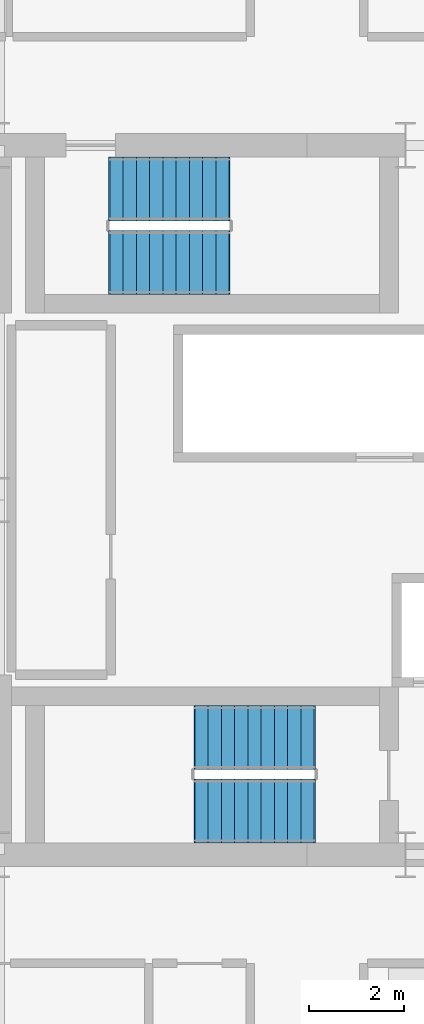
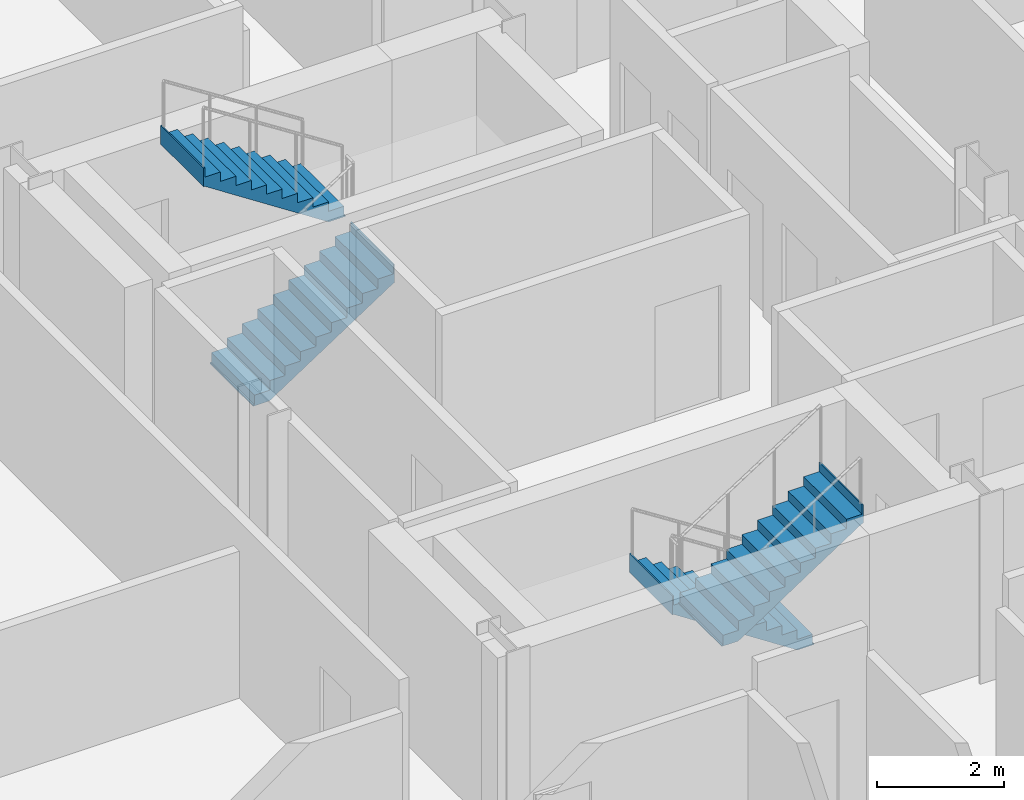
# One storey, part 21 of 23: 4 stair flights, 2 elements without a shape of their own.
"""IFC4 building model written with IfcOpenShell, lengths in metres."""

from ifc_helpers import new_model, si_unit, direction, frame, origin, place, context, subcontext, project, spatial, polyline, outline, extrude, material, type_object, element, aggregate, save


model = new_model("IFC4")

# Units and contexts
model_context = context("Model", 3, precision=1e-05, world=origin(), true_north=direction((0.0, 1.0)))
body_context = subcontext(model_context, "Body", "Model", "MODEL_VIEW")
ifc_project = project(units=[si_unit("LENGTHUNIT", "METRE"), si_unit("AREAUNIT", "SQUARE_METRE"), si_unit("VOLUMEUNIT", "CUBIC_METRE"), si_unit("PLANEANGLEUNIT", "RADIAN"), si_unit("MASSUNIT", "GRAM", prefix="KILO")], contexts=[model_context])

# Site, building, storey
site_placement = place(None, origin())
site = spatial("IfcSite", under=ifc_project, at=site_placement, CompositionType="ELEMENT")
building_placement = place(site_placement, origin())
building = spatial("IfcBuilding", under=site, at=building_placement, Name="Barlavira Tower and Art Museum", CompositionType="ELEMENT")
storey_placement = place(building_placement, frame((0.0, 0.0, 151.199951171875)))
storey = spatial("IfcBuildingStorey", under=building, at=storey_placement, Name="L38", CompositionType="ELEMENT", Elevation=151.199951171875)

# Stair, stair flights
ifc_material_1 = material(Name="Concrete C45", Category="concrete")
stair_type_1 = type_object("IfcStairType", Name="Tower North Dog-Leg Exit Stair Assembly Concrete C45", PredefinedType="TWO_QUARTER_TURN_STAIR", material=ifc_material_1)
stair_1_placement = place(storey_placement, origin())
stair_1 = element("IfcStair", 1, at=stair_1_placement, inside=storey, type_object=stair_type_1, Name="L38 Tower North Exit Stair ST-T2", PredefinedType="TWO_QUARTER_TURN_STAIR")
ifc_material_2 = material(Name="Precast concrete C45", Category="concrete")
stair_flight_type_1 = type_object("IfcStairFlightType", Name="Tower North Dog-Leg Exit Stair Precast Flight 1350 Concrete C45", PredefinedType="STRAIGHT", material=ifc_material_2)
stair_flight_1_placement = place(storey_placement, frame((-4.169921875, 5.02490234375, 0.0), z_axis=(0.0, 0.0, 1.0), x_axis=(1.0, 0.0, 0.0)))
stair_flight_1 = element("IfcStairFlight", 2, at=stair_flight_1_placement, type_object=stair_flight_type_1, Name="ST-T2 flight 1", NumberOfRisers=10, NumberOfTreads=9, PredefinedType="STRAIGHT", RiserHeight=0.18, TreadLength=0.28, context=body_context, shape_type="SweptSolid", body=[
    extrude(outline(polyline([(-0.02490234375, 0.0), (0.0, 0.0), (0.0, 0.179931640625), (0.280029296875, 0.179931640625), (0.280029296875, 0.360107421875), (0.56005859375, 0.360107421875), (0.56005859375, 0.5400390625), (0.840087890625, 0.5400390625), (0.840087890625, 0.719970703125), (1.1201171875, 0.719970703125), (1.1201171875, 0.89990234375), (1.39990234375, 0.89990234375), (1.39990234375, 1.080078125), (1.679931640625, 1.080078125), (1.679931640625, 1.260009765625), (1.9599609375, 1.260009765625), (1.9599609375, 1.43994140625), (2.239990234375, 1.43994140625), (2.239990234375, 1.6201171875), (2.52001953125, 1.6201171875), (2.52001953125, 1.800048828125), (2.544921875, 1.800048828125), (2.544921875, 1.44189453125), (2.52001953125, 1.44189453125), (0.277099609375, -0.02490234375), (-0.02490234375, -0.02490234375), (-0.02490234375, 0.0)])), frame((0.0, 0.675048828125, 0.0), z_axis=(0.0, -1.0, 0.0), x_axis=(1.0, 0.0, 0.0)), (0.0, 0.0, 1.0), 1.35009765625),
])
stair_flight_2_placement = place(storey_placement, frame((-1.64990234375, 6.574951171875, 1.800048828125), z_axis=(0.0, 0.0, 1.0), x_axis=(-1.0, 0.0, 0.0)))
stair_flight_2 = element("IfcStairFlight", 3, at=stair_flight_2_placement, type_object=stair_flight_type_1, Name="ST-T2 flight 2", NumberOfRisers=10, NumberOfTreads=9, PredefinedType="STRAIGHT", RiserHeight=0.18, TreadLength=0.28, context=body_context, shape_type="SweptSolid", body=[
    extrude(outline(polyline([(-0.02490234375, 0.0), (0.0, 0.0), (0.0, 0.179931640625), (0.280029296875, 0.179931640625), (0.280029296875, 0.360107421875), (0.56005859375, 0.360107421875), (0.56005859375, 0.5400390625), (0.840087890625, 0.5400390625), (0.840087890625, 0.719970703125), (1.1201171875, 0.719970703125), (1.1201171875, 0.89990234375), (1.39990234375, 0.89990234375), (1.39990234375, 1.080078125), (1.679931640625, 1.080078125), (1.679931640625, 1.260009765625), (1.9599609375, 1.260009765625), (1.9599609375, 1.43994140625), (2.239990234375, 1.43994140625), (2.239990234375, 1.6201171875), (2.52001953125, 1.6201171875), (2.52001953125, 1.800048828125), (2.544921875, 1.800048828125), (2.544921875, 1.44189453125), (2.52001953125, 1.44189453125), (0.277099609375, -0.02490234375), (-0.02490234375, -0.02490234375), (-0.02490234375, 0.0)])), frame((0.0, 0.675048828125, 0.0), z_axis=(0.0, -1.0, 0.0), x_axis=(1.0, 0.0, 0.0)), (0.0, 0.0, 1.0), 1.35009765625),
])
aggregate(stair_1, [stair_flight_1, stair_flight_2])

stair_type_2 = type_object("IfcStairType", Name="Tower South Dog-Leg Exit Stair Assembly Concrete C45", PredefinedType="TWO_QUARTER_TURN_STAIR", material=ifc_material_1)
stair_2_placement = place(storey_placement, origin())
stair_2 = element("IfcStair", 4, at=stair_2_placement, inside=storey, type_object=stair_type_2, Name="L38 Tower South Exit Stair ST-T1", PredefinedType="TWO_QUARTER_TURN_STAIR")
stair_flight_type_2 = type_object("IfcStairFlightType", Name="Tower South Dog-Leg Exit Stair Precast Flight 1350 Concrete C45", PredefinedType="STRAIGHT", material=ifc_material_2)
stair_flight_3_placement = place(storey_placement, frame((0.14990234375, -5.02490234375, 0.0), z_axis=(0.0, 0.0, 1.0), x_axis=(-1.0, 0.0, 0.0)))
stair_flight_3 = element("IfcStairFlight", 5, at=stair_flight_3_placement, type_object=stair_flight_type_2, Name="ST-T1 flight 1", NumberOfRisers=10, NumberOfTreads=9, PredefinedType="STRAIGHT", RiserHeight=0.18, TreadLength=0.28, context=body_context, shape_type="SweptSolid", body=[
    extrude(outline(polyline([(-0.02490234375, 0.0), (0.0, 0.0), (0.0, 0.179931640625), (0.280029296875, 0.179931640625), (0.280029296875, 0.360107421875), (0.56005859375, 0.360107421875), (0.56005859375, 0.5400390625), (0.840087890625, 0.5400390625), (0.840087890625, 0.719970703125), (1.1201171875, 0.719970703125), (1.1201171875, 0.89990234375), (1.39990234375, 0.89990234375), (1.39990234375, 1.080078125), (1.679931640625, 1.080078125), (1.679931640625, 1.260009765625), (1.9599609375, 1.260009765625), (1.9599609375, 1.43994140625), (2.239990234375, 1.43994140625), (2.239990234375, 1.6201171875), (2.52001953125, 1.6201171875), (2.52001953125, 1.800048828125), (2.544921875, 1.800048828125), (2.544921875, 1.44189453125), (2.52001953125, 1.44189453125), (0.277099609375, -0.02490234375), (-0.02490234375, -0.02490234375), (-0.02490234375, 0.0)])), frame((0.0, 0.675048828125, 0.0), z_axis=(0.0, -1.0, 0.0), x_axis=(1.0, 0.0, 0.0)), (0.0, 0.0, 1.0), 1.35009765625),
])
stair_flight_4_placement = place(storey_placement, frame((-2.3701171875, -6.574951171875, 1.800048828125), z_axis=(0.0, 0.0, 1.0), x_axis=(1.0, 0.0, 0.0)))
stair_flight_4 = element("IfcStairFlight", 6, at=stair_flight_4_placement, type_object=stair_flight_type_2, Name="ST-T1 flight 2", NumberOfRisers=10, NumberOfTreads=9, PredefinedType="STRAIGHT", RiserHeight=0.18, TreadLength=0.28, context=body_context, shape_type="SweptSolid", body=[
    extrude(outline(polyline([(-0.02490234375, 0.0), (0.0, 0.0), (0.0, 0.179931640625), (0.280029296875, 0.179931640625), (0.280029296875, 0.360107421875), (0.56005859375, 0.360107421875), (0.56005859375, 0.5400390625), (0.840087890625, 0.5400390625), (0.840087890625, 0.719970703125), (1.1201171875, 0.719970703125), (1.1201171875, 0.89990234375), (1.39990234375, 0.89990234375), (1.39990234375, 1.080078125), (1.679931640625, 1.080078125), (1.679931640625, 1.260009765625), (1.9599609375, 1.260009765625), (1.9599609375, 1.43994140625), (2.239990234375, 1.43994140625), (2.239990234375, 1.6201171875), (2.52001953125, 1.6201171875), (2.52001953125, 1.800048828125), (2.544921875, 1.800048828125), (2.544921875, 1.44189453125), (2.52001953125, 1.44189453125), (0.277099609375, -0.02490234375), (-0.02490234375, -0.02490234375), (-0.02490234375, 0.0)])), frame((0.0, 0.675048828125, 0.0), z_axis=(0.0, -1.0, 0.0), x_axis=(1.0, 0.0, 0.0)), (0.0, 0.0, 1.0), 1.35009765625),
])
aggregate(stair_2, [stair_flight_3, stair_flight_4])

save(model, "model.ifc")
